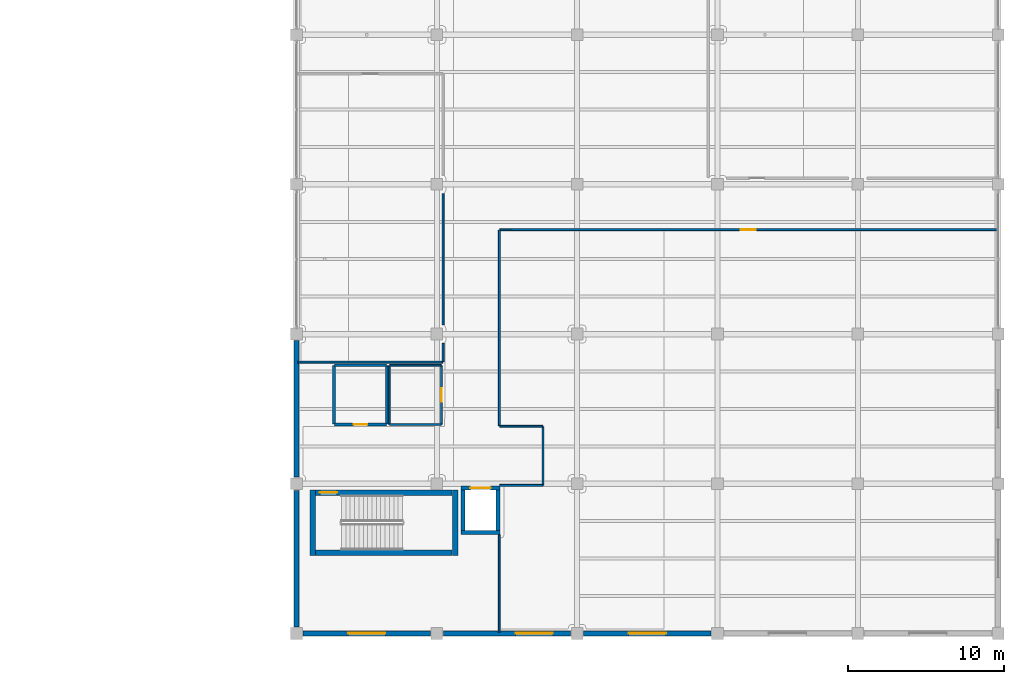
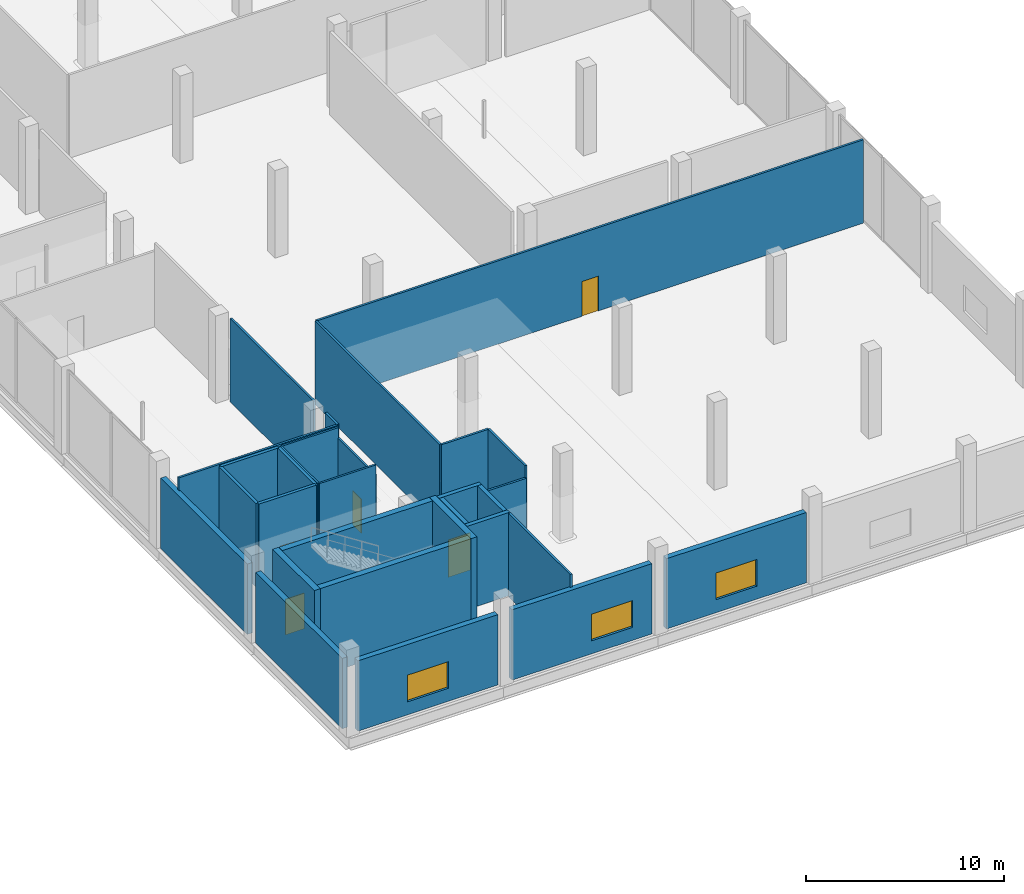
# One storey, part 30 of 47: 30 walls, 5 doors, 3 windows, 8 openings.
"""IFC4 building model written with IfcOpenShell, lengths in metres."""

from ifc_helpers import new_model, si_unit, direction, frame, frame_2d, origin, place, context, subcontext, project, spatial, rectangle, extrude, material, layer, layer_set, type_object, element, fill, save


model = new_model("IFC4")

# Units and contexts
model_context = context("Model", 3, precision=1e-05, world=origin(), true_north=direction((0.0, 1.0)))
body_context = subcontext(model_context, "Body", "Model", "MODEL_VIEW")
ifc_project = project(units=[si_unit("LENGTHUNIT", "METRE"), si_unit("AREAUNIT", "SQUARE_METRE"), si_unit("VOLUMEUNIT", "CUBIC_METRE"), si_unit("PLANEANGLEUNIT", "RADIAN"), si_unit("MASSUNIT", "GRAM", prefix="KILO")], contexts=[model_context])

# Site, building, storey
site_placement = place(None, origin())
site = spatial("IfcSite", under=ifc_project, at=site_placement, CompositionType="ELEMENT")
building_placement = place(site_placement, origin())
building = spatial("IfcBuilding", under=site, at=building_placement, Name="Qorvath Tower", CompositionType="ELEMENT")
storey_placement = place(building_placement, frame((0.0, 0.0, 6.60009765625)))
storey = spatial("IfcBuildingStorey", under=building, at=storey_placement, Name="L01", CompositionType="ELEMENT", Elevation=6.60009765625)

# Wall, opening, door
ifc_material_1 = material(Name="Gypsum shaftliner on steel studs", Category="steel")
ifc_layer_1 = layer(ifc_material_1, 0.179931640625)
ifc_layer_set_1 = layer_set([ifc_layer_1], Name="FW-LOBBY")
wall_type_1 = type_object("IfcWallType", Name="FW-LOBBY", PredefinedType="PARTITIONING", material=ifc_layer_set_1)
wall_1_placement = place(storey_placement, frame((34.824951171875, -25.0, 0.0), z_axis=(0.0, 0.0, 1.0), x_axis=(1.0, 0.0, 0.0)))
wall_1 = element("IfcWall", 1, at=wall_1_placement, inside=storey, type_object=wall_type_1, Name="Interior Partition IW-LB-L01-013", PredefinedType="PARTITIONING", context=body_context, shape_type="SweptSolid", body=[
    extrude(rectangle(XDim=3.35009765625, YDim=0.179931640625, at=frame_2d((1.675048828125, 0.0))), origin(), (0.0, 0.0, 1.0), 5.139892578125),
])
opening_1_placement = place(wall_1_placement, frame((1.235107421875, 0.0, 0.0)))
opening_1 = element("IfcOpeningElement", 2, at=opening_1_placement, cuts=wall_1, Name="Opening D-LB-L01-04", PredefinedType="OPENING", context=body_context, shape_type="SweptSolid", body=[
    extrude(rectangle(XDim=0.8798828125, YDim=2.10009765625, at=frame_2d((0.43994140625, 1.050048828125))), frame((0.0, 0.10009765625, 0.0), z_axis=(0.0, -1.0, 0.0), x_axis=(1.0, 0.0, 0.0)), (0.0, 0.0, 1.0), 0.199951171875),
])
ifc_material_2 = material(Name="Painted galvanised hollow metal", Category="steel")
door_type_1 = type_object("IfcDoorType", Name="FD-60N", OperationType="NOTDEFINED", PredefinedType="DOOR", material=ifc_material_2)
door_1_placement = place(opening_1_placement, origin())
door_1 = element("IfcDoor", 3, at=door_1_placement, inside=storey, type_object=door_type_1, Name="Cleaner Custodial Closet L01 Door D-LB-L01-04", OperationType="SINGLE_SWING_LEFT", OverallHeight=2.10009765625, OverallWidth=0.8798828125, PredefinedType="DOOR", context=body_context, shape_type="SweptSolid", body=[
    extrude(rectangle(XDim=0.8798828125, YDim=2.10009765625, at=frame_2d((0.43994140625, 1.050048828125))), frame((0.0, 0.02490234375, 0.0), z_axis=(0.0, -1.0, 0.0), x_axis=(1.0, 0.0, 0.0)), (0.0, 0.0, 1.0), 0.050048828125),
])
fill(opening_1, door_1)

# Walls
wall_2_placement = place(storey_placement, frame((38.199951171875, -24.97509765625, 0.0), z_axis=(0.0, 0.0, 1.0), x_axis=(0.0, 1.0, 0.0)))
element("IfcWall", 4, at=wall_2_placement, inside=storey, type_object=wall_type_1, Name="Interior Partition IW-LB-L01-014", PredefinedType="PARTITIONING", context=body_context, shape_type="SweptSolid", body=[
    extrude(rectangle(XDim=3.75, YDim=0.179931640625, at=frame_2d((1.875, 0.0))), origin(), (0.0, 0.0, 1.0), 5.139892578125),
])
wall_3_placement = place(storey_placement, frame((38.175048828125, -21.199951171875, 0.0), z_axis=(0.0, 0.0, 1.0), x_axis=(-1.0, 0.0, 0.0)))
element("IfcWall", 5, at=wall_3_placement, inside=storey, type_object=wall_type_1, Name="Interior Partition IW-LB-L01-015", PredefinedType="PARTITIONING", context=body_context, shape_type="SweptSolid", body=[
    extrude(rectangle(XDim=3.35009765625, YDim=0.179931640625, at=frame_2d((1.675048828125, 0.0))), origin(), (0.0, 0.0, 1.0), 5.139892578125),
])
wall_4_placement = place(storey_placement, frame((34.800048828125, -21.22509765625, 0.0), z_axis=(0.0, 0.0, 1.0), x_axis=(0.0, -1.0, 0.0)))
element("IfcWall", 6, at=wall_4_placement, inside=storey, type_object=wall_type_1, Name="Interior Partition IW-LB-L01-016", PredefinedType="PARTITIONING", context=body_context, shape_type="SweptSolid", body=[
    extrude(rectangle(XDim=3.75, YDim=0.179931640625, at=frame_2d((1.875, 0.0))), origin(), (0.0, 0.0, 1.0), 5.139892578125),
])

# Wall, opening, door
ifc_material_3 = material(Name="Gypsum board on metal studs with mineral wool", Category="gypsum")
ifc_layer_2 = layer(ifc_material_3, 0.125)
ifc_layer_set_2 = layer_set([ifc_layer_2], Name="IW-PART-125")
wall_type_2 = type_object("IfcWallType", Name="IW-PART-125", PredefinedType="PARTITIONING", material=ifc_layer_set_2)
wall_5_placement = place(storey_placement, frame((77.320068359375, -12.5, 0.0), z_axis=(0.0, 0.0, 1.0), x_axis=(-0.999999968081, -0.000252662519, 0.0)))
wall_5 = element("IfcWall", 7, at=wall_5_placement, inside=storey, type_object=wall_type_2, Name="Interior Partition IW-LB-L01-023", PredefinedType="PARTITIONING", context=body_context, shape_type="SweptSolid", body=[
    extrude(rectangle(XDim=31.886962890625, YDim=0.125, at=frame_2d((15.943359375, 0.0))), origin(), (0.0, 0.0, 1.0), 5.139892578125),
])
opening_2_placement = place(wall_5_placement, frame((15.468505859375, 0.0, 0.0)))
opening_2 = element("IfcOpeningElement", 8, at=opening_2_placement, cuts=wall_5, Name="Opening D-LB-L01-06", PredefinedType="OPENING", context=body_context, shape_type="SweptSolid", body=[
    extrude(rectangle(XDim=0.949951171875, YDim=2.14990234375, at=frame_2d((0.47509765625, 1.074951171875))), frame((0.0, 0.072509765625, 0.0), z_axis=(0.0, -1.0, 0.0), x_axis=(1.0, 0.0, 0.0)), (0.0, 0.0, 1.0), 0.14501953125),
])
ifc_material_4 = material(Name="Solid-core American white oak veneer", Category="wood")
door_type_2 = type_object("IfcDoorType", Name="D-01", OperationType="NOTDEFINED", PredefinedType="DOOR", material=ifc_material_4)
door_2_placement = place(opening_2_placement, origin())
door_2 = element("IfcDoor", 9, at=door_2_placement, inside=storey, type_object=door_type_2, Name="L-L01-STK-S Open Book Stack Collection South L01 Door D-LB-L01-06", OperationType="SINGLE_SWING_LEFT", OverallHeight=2.14990234375, OverallWidth=0.949951171875, PredefinedType="DOOR", context=body_context, shape_type="SweptSolid", body=[
    extrude(rectangle(XDim=0.949951171875, YDim=2.14990234375, at=frame_2d((0.47509765625, 1.074951171875))), frame((0.0, 0.02490234375, 0.0), z_axis=(0.0, -1.0, 0.0), x_axis=(1.0, 0.0, 0.0)), (0.0, 0.0, 1.0), 0.050048828125),
])
fill(opening_2, door_2)

# Walls
wall_6_placement = place(storey_placement, frame((45.407958984375, -12.533203125, 0.0), z_axis=(0.0, 0.0, 1.0), x_axis=(0.0, -1.0, 0.0)))
element("IfcWall", 10, at=wall_6_placement, inside=storey, type_object=wall_type_2, Name="Interior Partition IW-LB-L01-024", PredefinedType="PARTITIONING", context=body_context, shape_type="SweptSolid", body=[
    extrude(rectangle(XDim=12.553955078125, YDim=0.125, at=frame_2d((6.27685546875, 0.0))), origin(), (0.0, 0.0, 1.0), 5.139892578125),
])
wall_7_placement = place(storey_placement, frame((48.18310546875, -25.112060546875, 0.0), z_axis=(0.0, 0.0, 1.0), x_axis=(-1.0, 0.0, 0.0)))
element("IfcWall", 11, at=wall_7_placement, inside=storey, type_object=wall_type_2, Name="Interior Partition IW-LB-L01-025", PredefinedType="PARTITIONING", context=body_context, shape_type="SweptSolid", body=[
    extrude(rectangle(XDim=2.75, YDim=0.125, at=frame_2d((1.375, 0.0))), origin(), (0.0, 0.0, 1.0), 5.139892578125),
])
wall_8_placement = place(storey_placement, frame((48.2080078125, -25.13720703125, 0.0), z_axis=(0.0, 0.0, 1.0), x_axis=(0.0, -1.0, 0.0)))
element("IfcWall", 12, at=wall_8_placement, inside=storey, type_object=wall_type_2, Name="Interior Partition IW-LB-L01-026", PredefinedType="PARTITIONING", context=body_context, shape_type="SweptSolid", body=[
    extrude(rectangle(XDim=3.745849609375, YDim=0.125, at=frame_2d((1.873046875, 0.0))), origin(), (0.0, 0.0, 1.0), 5.139892578125),
])
wall_9_placement = place(storey_placement, frame((45.4248046875, -28.907958984375, 0.0), z_axis=(0.0, 0.0, 1.0), x_axis=(1.0, 0.0, 0.0)))
element("IfcWall", 13, at=wall_9_placement, inside=storey, type_object=wall_type_2, Name="Interior Partition IW-LB-L01-027", PredefinedType="PARTITIONING", context=body_context, shape_type="SweptSolid", body=[
    extrude(rectangle(XDim=2.75830078125, YDim=0.125, at=frame_2d((1.379150390625, 0.0))), origin(), (0.0, 0.0, 1.0), 4.4140625),
])
wall_10_placement = place(storey_placement, frame((45.39990234375, -32.0849609375, 0.0), z_axis=(0.0, 0.0, 1.0), x_axis=(0.0, -1.0, 0.0)))
element("IfcWall", 14, at=wall_10_placement, inside=storey, type_object=wall_type_2, Name="Interior Partition IW-LB-L01-028", PredefinedType="PARTITIONING", context=body_context, shape_type="SweptSolid", body=[
    extrude(rectangle(XDim=6.235107421875, YDim=0.125, at=frame_2d((3.11767578125, 0.0))), origin(), (0.0, 0.0, 1.0), 5.139892578125),
])
wall_11_placement = place(storey_placement, frame((32.47998046875, -21.0, 0.0), z_axis=(0.0, 0.0, 1.0), x_axis=(1.0, 0.0, 0.0)))
element("IfcWall", 15, at=wall_11_placement, inside=storey, type_object=wall_type_2, Name="Interior Partition IW-LB-L01-040", PredefinedType="PARTITIONING", context=body_context, shape_type="SweptSolid", body=[
    extrude(rectangle(XDim=9.294921875, YDim=0.125, at=frame_2d((4.6474609375, 0.0))), origin(), (0.0, 0.0, 1.0), 5.139892578125),
])
wall_12_placement = place(storey_placement, frame((41.800048828125, -20.97509765625, 0.0), z_axis=(0.0, 0.0, 1.0), x_axis=(0.0, 1.0, 0.0)))
element("IfcWall", 16, at=wall_12_placement, inside=storey, type_object=wall_type_2, Name="Interior Partition IW-LB-L01-041", PredefinedType="PARTITIONING", context=body_context, shape_type="SweptSolid", body=[
    extrude(rectangle(XDim=1.185546875, YDim=0.125, at=frame_2d((0.5927734375, 0.0))), origin(), (0.0, 0.0, 1.0), 5.139892578125),
])
wall_13_placement = place(storey_placement, frame((41.800048828125, -18.6103515625, 0.0), z_axis=(0.0, 0.0, 1.0), x_axis=(0.0, 1.0, 0.0)))
element("IfcWall", 17, at=wall_13_placement, inside=storey, type_object=wall_type_2, Name="Interior Partition IW-LB-L01-042", PredefinedType="PARTITIONING", context=body_context, shape_type="SweptSolid", body=[
    extrude(rectangle(XDim=8.420654296875, YDim=0.125, at=frame_2d((4.21044921875, 0.0))), origin(), (0.0, 0.0, 1.0), 5.139892578125),
])
ifc_material_5 = material(Name="Moisture-resistant cement board on metal studs", Category="gypsum")
ifc_layer_3 = layer(ifc_material_5, 0.110107421875)
ifc_layer_set_3 = layer_set([ifc_layer_3], Name="IW-WC-110")
wall_type_3 = type_object("IfcWallType", Name="IW-WC-110", PredefinedType="PARTITIONING", material=ifc_layer_set_3)
wall_14_placement = place(storey_placement, frame((38.375, -25.0, 0.0), z_axis=(0.0, 0.0, 1.0), x_axis=(1.0, 0.0, 0.0)))
element("IfcWall", 18, at=wall_14_placement, inside=storey, type_object=wall_type_3, Name="Interior Partition IW-LB-L01-009", PredefinedType="PARTITIONING", context=body_context, shape_type="SweptSolid", body=[
    extrude(rectangle(XDim=3.300048828125, YDim=0.110107421875, at=frame_2d((1.64990234375, 0.0))), origin(), (0.0, 0.0, 1.0), 5.139892578125),
])

# Wall, opening, door
wall_15_placement = place(storey_placement, frame((41.699951171875, -24.97509765625, 0.0), z_axis=(0.0, 0.0, 1.0), x_axis=(0.0, 1.0, 0.0)))
wall_15 = element("IfcWall", 19, at=wall_15_placement, inside=storey, type_object=wall_type_3, Name="Interior Partition IW-LB-L01-010", PredefinedType="PARTITIONING", context=body_context, shape_type="SweptSolid", body=[
    extrude(rectangle(XDim=3.75, YDim=0.110107421875, at=frame_2d((1.875, 0.0))), origin(), (0.0, 0.0, 1.0), 4.49365234375),
])
opening_3_placement = place(wall_15_placement, frame((1.43505859375, 0.0, 0.0)))
opening_3 = element("IfcOpeningElement", 20, at=opening_3_placement, cuts=wall_15, Name="Opening D-LB-L01-03", PredefinedType="OPENING", context=body_context, shape_type="SweptSolid", body=[
    extrude(rectangle(XDim=0.8798828125, YDim=2.10009765625, at=frame_2d((0.43994140625, 1.050048828125))), frame((0.0, 0.06494140625, 0.0), z_axis=(0.0, -1.0, 0.0), x_axis=(1.0, 0.0, 0.0)), (0.0, 0.0, 1.0), 0.130126953125),
])
ifc_material_6 = material(Name="Solid-core oak with acoustic drop seal", Category="wood")
door_type_3 = type_object("IfcDoorType", Name="D-02", OperationType="NOTDEFINED", PredefinedType="DOOR", material=ifc_material_6)
door_3_placement = place(opening_3_placement, origin())
door_3 = element("IfcDoor", 21, at=door_3_placement, inside=storey, type_object=door_type_3, Name="Accessible WC East Wing L01 Door D-LB-L01-03", OperationType="SINGLE_SWING_RIGHT", OverallHeight=2.10009765625, OverallWidth=0.8798828125, PredefinedType="DOOR", context=body_context, shape_type="SweptSolid", body=[
    extrude(rectangle(XDim=0.8798828125, YDim=2.10009765625, at=frame_2d((0.43994140625, 1.050048828125))), frame((0.0, 0.02490234375, 0.0), z_axis=(0.0, -1.0, 0.0), x_axis=(1.0, 0.0, 0.0)), (0.0, 0.0, 1.0), 0.050048828125),
])
fill(opening_3, door_3)

# Walls
wall_16_placement = place(storey_placement, frame((41.675048828125, -21.199951171875, 0.0), z_axis=(0.0, 0.0, 1.0), x_axis=(-1.0, 0.0, 0.0)))
element("IfcWall", 22, at=wall_16_placement, inside=storey, type_object=wall_type_3, Name="Interior Partition IW-LB-L01-011", PredefinedType="PARTITIONING", context=body_context, shape_type="SweptSolid", body=[
    extrude(rectangle(XDim=3.300048828125, YDim=0.110107421875, at=frame_2d((1.64990234375, 0.0))), origin(), (0.0, 0.0, 1.0), 5.139892578125),
])
wall_17_placement = place(storey_placement, frame((38.35009765625, -21.22509765625, 0.0), z_axis=(0.0, 0.0, 1.0), x_axis=(0.0, -1.0, 0.0)))
element("IfcWall", 23, at=wall_17_placement, inside=storey, type_object=wall_type_3, Name="Interior Partition IW-LB-L01-012", PredefinedType="PARTITIONING", context=body_context, shape_type="SweptSolid", body=[
    extrude(rectangle(XDim=3.75, YDim=0.110107421875, at=frame_2d((1.875, 0.0))), origin(), (0.0, 0.0, 1.0), 5.139892578125),
])
ifc_material_7 = material(Name="Concrete C60/75", Category="concrete")
ifc_layer_4 = layer(ifc_material_7, 0.260009765625)
ifc_layer_set_4 = layer_set([ifc_layer_4], Name="SW-SHAFT")
wall_type_4 = type_object("IfcWallType", Name="SW-SHAFT", PredefinedType="SHEAR", material=ifc_layer_set_4)
wall_18_placement = place(storey_placement, frame((45.43994140625, -31.919921875, 0.0), z_axis=(0.0, 0.0, 1.0), x_axis=(-1.0, 0.0, 0.0)))
element("IfcWall", 24, at=wall_18_placement, inside=storey, type_object=wall_type_4, Name="Hoistway Wall LGL-1 L01 S", PredefinedType="SHEAR", context=body_context, shape_type="SweptSolid", body=[
    extrude(rectangle(XDim=2.47998046875, YDim=0.239990234375, at=frame_2d((1.239990234375, 0.0))), origin(), (0.0, 0.0, 1.0), 5.139892578125),
])

# Wall, opening, door
wall_19_placement = place(storey_placement, frame((42.9599609375, -29.080078125, 0.0), z_axis=(0.0, 0.0, 1.0), x_axis=(1.0, 0.0, 0.0)))
wall_19 = element("IfcWall", 25, at=wall_19_placement, inside=storey, type_object=wall_type_4, Name="Hoistway Wall LGL-1 L01 N", PredefinedType="SHEAR", context=body_context, shape_type="SweptSolid", body=[
    extrude(rectangle(XDim=2.47998046875, YDim=0.239990234375, at=frame_2d((1.239990234375, 0.0))), origin(), (0.0, 0.0, 1.0), 5.139892578125),
])
opening_4_placement = place(wall_19_placement, frame((0.590087890625, 0.0, 0.0)))
opening_4 = element("IfcOpeningElement", 26, at=opening_4_placement, cuts=wall_19, Name="Opening LD-LGL-1-L01", PredefinedType="OPENING", context=body_context, shape_type="SweptSolid", body=[
    extrude(rectangle(XDim=1.300048828125, YDim=2.300048828125, at=frame_2d((0.64990234375, 1.14990234375))), frame((0.0, 0.1298828125, 0.0), z_axis=(0.0, -1.0, 0.0), x_axis=(1.0, 0.0, 0.0)), (0.0, 0.0, 1.0), 0.260009765625),
])
ifc_material_8 = material(Name="Brushed stainless steel AISI 316", Category="steel")
door_type_4 = type_object("IfcDoorType", Name="LD-02", OperationType="NOTDEFINED", PredefinedType="DOOR", material=ifc_material_8)
door_4_placement = place(opening_4_placement, origin())
door_4 = element("IfcDoor", 27, at=door_4_placement, inside=storey, type_object=door_type_4, Name="Elevator Landing Sliding Door LD-LGL-1-L01", OperationType="DOUBLE_DOOR_SLIDING", OverallHeight=2.300048828125, OverallWidth=1.300048828125, PredefinedType="DOOR", context=body_context, shape_type="SweptSolid", body=[
    extrude(rectangle(XDim=1.300048828125, YDim=2.300048828125, at=frame_2d((0.64990234375, 1.14990234375))), frame((0.0, 0.02490234375, 0.0), z_axis=(0.0, -1.0, 0.0), x_axis=(1.0, 0.0, 0.0)), (0.0, 0.0, 1.0), 0.050048828125),
])
fill(opening_4, door_4)

# Walls
for number, where, z_axis, x_axis, name in (
    (28, (43.080078125, -31.7880859375, 0.0), (0.0, 0.0, 1.0), (0.0, 1.0, 0.0), "Hoistway Wall LGL-1 L01 W"),
    (29, (45.320068359375, -29.2119140625, 0.0), (0.0, 0.0, 1.0), (0.0, -1.0, 0.0), "Hoistway Wall LGL-1 L01 E"),
):
    element("IfcWall", number, at=place(storey_placement, frame(where, z_axis=z_axis, x_axis=x_axis)), inside=storey, type_object=wall_type_4, Name=name, PredefinedType="SHEAR", context=body_context, shape_type="SweptSolid", body=[
        extrude(rectangle(XDim=2.576171875, YDim=0.239990234375, at=frame_2d((1.2880859375, 0.0))), origin(), (0.0, 0.0, 1.0), 5.139892578125),
    ])
ifc_material_9 = material(Name="Concrete C60/75", Category="concrete")
ifc_layer_5 = layer(ifc_material_9, 0.35009765625)
ifc_layer_set_5 = layer_set([ifc_layer_5], Name="SW-STAIR")
wall_type_5 = type_object("IfcWallType", Name="SW-STAIR", PredefinedType="SHEAR", material=ifc_layer_set_5)
for number, where, z_axis, x_axis, name in (
    (30, (33.425048828125, -29.18994140625, 0.0), (0.0, 0.0, 1.0), (0.0, -1.0, 0.0), "Stair LS2 Shear Wall L01 NEAR"),
    (31, (42.574951171875, -33.39990234375, 0.0), (0.0, 0.0, 1.0), (0.0, 1.0, 0.0), "Stair LS2 Shear Wall L01 FAR"),
):
    element("IfcWall", number, at=place(storey_placement, frame(where, z_axis=z_axis, x_axis=x_axis)), inside=storey, type_object=wall_type_5, Name=name, PredefinedType="SHEAR", context=body_context, shape_type="SweptSolid", body=[
        extrude(rectangle(XDim=4.2099609375, YDim=0.35009765625, at=frame_2d((2.10498046875, 0.0))), origin(), (0.0, 0.0, 1.0), 5.39501953125),
    ])
wall_20_placement = place(storey_placement, frame((33.614990234375, -33.22509765625, 0.0), z_axis=(0.0, 0.0, 1.0), x_axis=(1.0, 0.0, 0.0)))
element("IfcWall", 32, at=wall_20_placement, inside=storey, type_object=wall_type_5, Name="Stair LS2 Shear Wall L01 LEFT", PredefinedType="SHEAR", context=body_context, shape_type="SweptSolid", body=[
    extrude(rectangle(XDim=8.77001953125, YDim=0.35009765625, at=frame_2d((4.385009765625, 0.0))), origin(), (0.0, 0.0, 1.0), 5.39501953125),
])

# Wall, opening, door
wall_21_placement = place(storey_placement, frame((42.385009765625, -29.364990234375, 0.0), z_axis=(0.0, 0.0, 1.0), x_axis=(-1.0, 0.0, 0.0)))
wall_21 = element("IfcWall", 33, at=wall_21_placement, inside=storey, type_object=wall_type_5, Name="Stair LS2 Shear Wall L01 RIGHT", PredefinedType="SHEAR", context=body_context, shape_type="SweptSolid", body=[
    extrude(rectangle(XDim=8.77001953125, YDim=0.35009765625, at=frame_2d((4.385009765625, 0.0))), origin(), (0.0, 0.0, 1.0), 5.39501953125),
])
opening_5_placement = place(wall_21_placement, frame((7.389892578125, 0.0, 0.0)))
opening_5 = element("IfcOpeningElement", 34, at=opening_5_placement, cuts=wall_21, Name="Opening D-LS2-L01", PredefinedType="OPENING", context=body_context, shape_type="SweptSolid", body=[
    extrude(rectangle(XDim=1.10009765625, YDim=2.199951171875, at=frame_2d((0.550048828125, 1.10009765625))), frame((0.0, 0.18505859375, 0.0), z_axis=(0.0, -1.0, 0.0), x_axis=(1.0, 0.0, 0.0)), (0.0, 0.0, 1.0), 0.3701171875),
])
ifc_material_10 = material(Name="Painted galvanised hollow metal", Category="steel")
door_type_5 = type_object("IfcDoorType", Name="FD-90", OperationType="NOTDEFINED", PredefinedType="DOOR", material=ifc_material_10)
door_5_placement = place(opening_5_placement, origin())
door_5 = element("IfcDoor", 35, at=door_5_placement, inside=storey, type_object=door_type_5, Name="Stair LS2 Fire Door L01", OperationType="SINGLE_SWING_RIGHT", OverallHeight=2.199951171875, OverallWidth=1.10009765625, PredefinedType="DOOR", context=body_context, shape_type="SweptSolid", body=[
    extrude(rectangle(XDim=1.10009765625, YDim=2.199951171875, at=frame_2d((0.550048828125, 1.10009765625))), frame((0.0, 0.02490234375, 0.0), z_axis=(0.0, -1.0, 0.0), x_axis=(1.0, 0.0, 0.0)), (0.0, 0.0, 1.0), 0.050048828125),
])
fill(opening_5, door_5)

# Walls
ifc_material_11 = material(Name="Precast concrete C45/55", Category="concrete")
ifc_layer_6 = layer(ifc_material_11, 0.320068359375)
ifc_layer_set_6 = layer_set([ifc_layer_6], Name="WL-EW-LIB-320")
wall_type_6 = type_object("IfcWallType", Name="WL-EW-LIB-320", PredefinedType="SOLIDWALL", material=ifc_layer_set_6)
wall_22_placement = place(storey_placement, frame((32.39990234375, -37.97998046875, 0.0), z_axis=(0.0, 0.0, 1.0), x_axis=(0.0, 1.0, 0.0)))
element("IfcWall", 36, at=wall_22_placement, inside=storey, type_object=wall_type_6, Name="Library West Precast Facade Wall L01-1", PredefinedType="SOLIDWALL", context=body_context, shape_type="SweptSolid", body=[
    extrude(rectangle(XDim=8.760009765625, YDim=0.320068359375, at=frame_2d((4.3798828125, 0.0))), origin(), (0.0, 0.0, 1.0), 4.3369140625),
])
wall_23_placement = place(storey_placement, frame((32.39990234375, -28.3798828125, 0.0), z_axis=(0.0, 0.0, 1.0), x_axis=(0.0, 1.0, 0.0)))
element("IfcWall", 37, at=wall_23_placement, inside=storey, type_object=wall_type_6, Name="Library West Precast Facade Wall L01-2", PredefinedType="SOLIDWALL", context=body_context, shape_type="SweptSolid", body=[
    extrude(rectangle(XDim=8.759765625, YDim=0.320068359375, at=frame_2d((4.3798828125, 0.0))), origin(), (0.0, 0.0, 1.0), 4.3369140625),
])

# Wall, opening, window
wall_24_placement = place(storey_placement, frame((40.97998046875, -38.39990234375, 0.0), z_axis=(0.0, 0.0, 1.0), x_axis=(-1.0, 0.0, 0.0)))
wall_24 = element("IfcWall", 38, at=wall_24_placement, inside=storey, type_object=wall_type_6, Name="Library S Precast Wall L01-1", PredefinedType="SOLIDWALL", context=body_context, shape_type="SweptSolid", body=[
    extrude(rectangle(XDim=8.159912109375, YDim=0.320068359375, at=frame_2d((4.080078125, 0.0))), origin(), (0.0, 0.0, 1.0), 4.3369140625),
])
opening_6_placement = place(wall_24_placement, frame((2.8798828125, 0.0, 0.800048828125)))
opening_6 = element("IfcOpeningElement", 39, at=opening_6_placement, cuts=wall_24, Name="Opening WN-L-092", PredefinedType="OPENING", context=body_context, shape_type="SweptSolid", body=[
    extrude(rectangle(XDim=2.39990234375, YDim=1.64990234375, at=frame_2d((1.199951171875, 0.824951171875))), frame((0.0, 0.169921875, 0.0), z_axis=(0.0, -1.0, 0.0), x_axis=(1.0, 0.0, 0.0)), (0.0, 0.0, 1.0), 0.340087890625),
])
ifc_material_12 = material(Name="Thermally broken aluminium and triple low-E glass", Category="aluminium")
window_type = type_object("IfcWindowType", Name="WN-2", PartitioningType="SINGLE_PANEL", PredefinedType="WINDOW", material=ifc_material_12)
window_1_placement = place(opening_6_placement, origin())
window_1 = element("IfcWindow", 40, at=window_1_placement, inside=storey, type_object=window_type, Name="Library Reading Punched Window 092", OverallHeight=1.64990234375, OverallWidth=2.39990234375, PartitioningType="SINGLE_PANEL", PredefinedType="WINDOW", context=body_context, shape_type="SweptSolid", body=[
    extrude(rectangle(XDim=2.39990234375, YDim=1.64990234375, at=frame_2d((1.199951171875, 0.824951171875))), frame((0.0, 0.030029296875, 0.0), z_axis=(0.0, -1.0, 0.0), x_axis=(1.0, 0.0, 0.0)), (0.0, 0.0, 1.0), 0.06005859375),
])
fill(opening_6, window_1)

wall_25_placement = place(storey_placement, frame((49.97998046875, -38.39990234375, 0.0), z_axis=(0.0, 0.0, 1.0), x_axis=(-1.0, 0.0, 0.0)))
wall_25 = element("IfcWall", 41, at=wall_25_placement, inside=storey, type_object=wall_type_6, Name="Library S Precast Wall L01-2", PredefinedType="SOLIDWALL", context=body_context, shape_type="SweptSolid", body=[
    extrude(rectangle(XDim=8.159912109375, YDim=0.320068359375, at=frame_2d((4.080078125, 0.0))), origin(), (0.0, 0.0, 1.0), 4.3369140625),
])
opening_7_placement = place(wall_25_placement, frame((1.135009765625, 0.0, 0.800048828125)))
opening_7 = element("IfcOpeningElement", 42, at=opening_7_placement, cuts=wall_25, Name="Opening WN-L-093", PredefinedType="OPENING", context=body_context, shape_type="SweptSolid", body=[
    extrude(rectangle(XDim=2.39990234375, YDim=1.64990234375, at=frame_2d((1.199951171875, 0.824951171875))), frame((0.0, 0.169921875, 0.0), z_axis=(0.0, -1.0, 0.0), x_axis=(1.0, 0.0, 0.0)), (0.0, 0.0, 1.0), 0.340087890625),
])
window_2_placement = place(opening_7_placement, origin())
window_2 = element("IfcWindow", 43, at=window_2_placement, inside=storey, type_object=window_type, Name="Library Reading Punched Window 093", OverallHeight=1.64990234375, OverallWidth=2.39990234375, PartitioningType="SINGLE_PANEL", PredefinedType="WINDOW", context=body_context, shape_type="SweptSolid", body=[
    extrude(rectangle(XDim=2.39990234375, YDim=1.64990234375, at=frame_2d((1.199951171875, 0.824951171875))), frame((0.0, 0.030029296875, 0.0), z_axis=(0.0, -1.0, 0.0), x_axis=(1.0, 0.0, 0.0)), (0.0, 0.0, 1.0), 0.06005859375),
])
fill(opening_7, window_2)

wall_26_placement = place(storey_placement, frame((58.97998046875, -38.39990234375, 0.0), z_axis=(0.0, 0.0, 1.0), x_axis=(-1.0, 0.0, 0.0)))
wall_26 = element("IfcWall", 44, at=wall_26_placement, inside=storey, type_object=wall_type_6, Name="Library S Precast Wall L01-3", PredefinedType="SOLIDWALL", context=body_context, shape_type="SweptSolid", body=[
    extrude(rectangle(XDim=8.159912109375, YDim=0.320068359375, at=frame_2d((4.080078125, 0.0))), origin(), (0.0, 0.0, 1.0), 4.3369140625),
])
opening_8_placement = place(wall_26_placement, frame((2.8798828125, 0.0, 0.800048828125)))
opening_8 = element("IfcOpeningElement", 45, at=opening_8_placement, cuts=wall_26, Name="Opening WN-L-094", PredefinedType="OPENING", context=body_context, shape_type="SweptSolid", body=[
    extrude(rectangle(XDim=2.39990234375, YDim=1.64990234375, at=frame_2d((1.199951171875, 0.824951171875))), frame((0.0, 0.169921875, 0.0), z_axis=(0.0, -1.0, 0.0), x_axis=(1.0, 0.0, 0.0)), (0.0, 0.0, 1.0), 0.340087890625),
])
window_3_placement = place(opening_8_placement, origin())
window_3 = element("IfcWindow", 46, at=window_3_placement, inside=storey, type_object=window_type, Name="Library Reading Punched Window 094", OverallHeight=1.64990234375, OverallWidth=2.39990234375, PartitioningType="SINGLE_PANEL", PredefinedType="WINDOW", context=body_context, shape_type="SweptSolid", body=[
    extrude(rectangle(XDim=2.39990234375, YDim=1.64990234375, at=frame_2d((1.199951171875, 0.824951171875))), frame((0.0, 0.030029296875, 0.0), z_axis=(0.0, -1.0, 0.0), x_axis=(1.0, 0.0, 0.0)), (0.0, 0.0, 1.0), 0.06005859375),
])
fill(opening_8, window_3)

save(model, "model.ifc")
